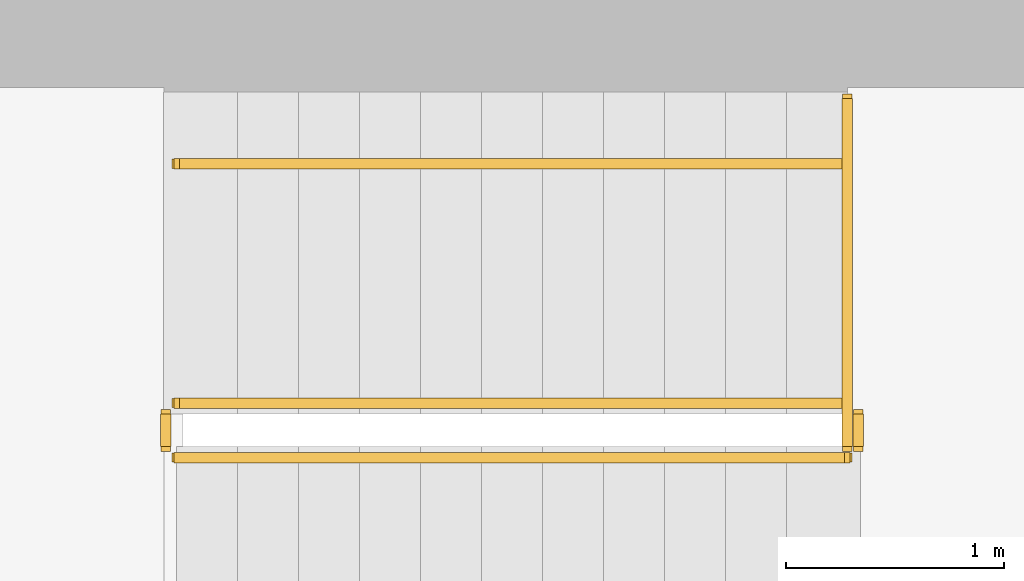
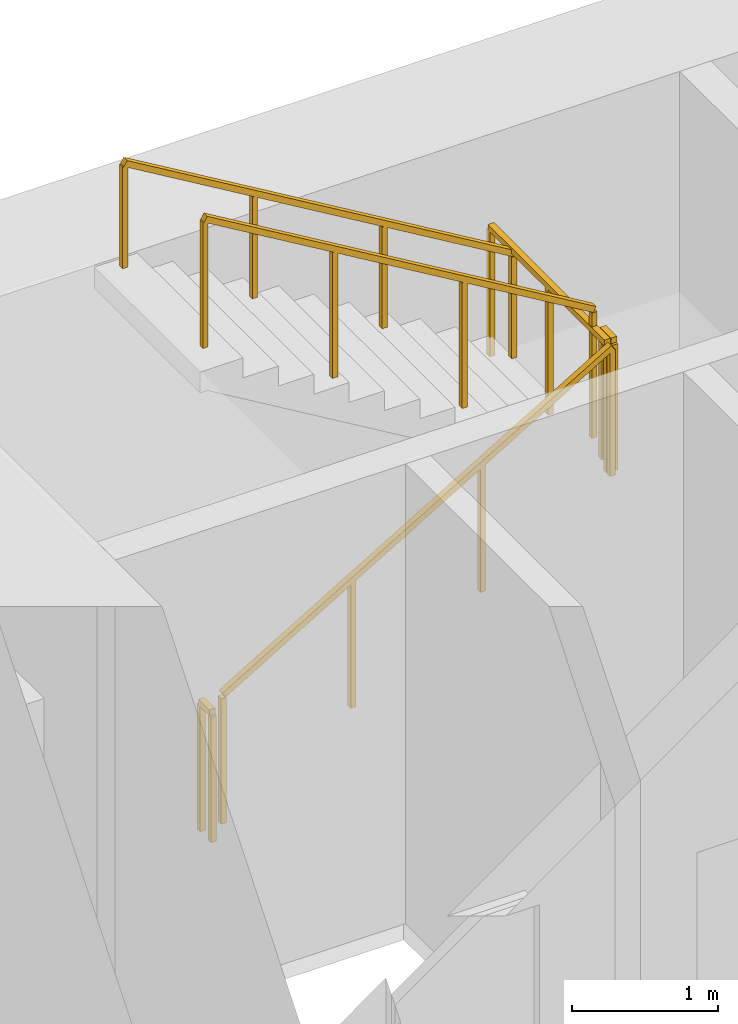
# One storey, part 15 of 16: 6 railings.
"""IFC4 building model written with IfcOpenShell, lengths in metres."""

from ifc_helpers import new_model, si_unit, direction, frame, origin, origin_2d, place, context, subcontext, project, spatial, rectangle, extrude, material, type_object, element, save


model = new_model("IFC4")

# Units and contexts
model_context = context("Model", 3, precision=1e-05, world=origin(), true_north=direction((0.0, 1.0)))
body_context = subcontext(model_context, "Body", "Model", "MODEL_VIEW")
ifc_project = project(units=[si_unit("LENGTHUNIT", "METRE"), si_unit("AREAUNIT", "SQUARE_METRE"), si_unit("VOLUMEUNIT", "CUBIC_METRE"), si_unit("PLANEANGLEUNIT", "RADIAN"), si_unit("MASSUNIT", "GRAM", prefix="KILO")], contexts=[model_context])

# Site, building, storey
site_placement = place(None, origin())
site = spatial("IfcSite", under=ifc_project, at=site_placement, CompositionType="ELEMENT")
building_placement = place(site_placement, origin())
building = spatial("IfcBuilding", under=site, at=building_placement, Name="Sennacour Bend Tower", CompositionType="ELEMENT")
storey_placement = place(building_placement, frame((0.0, 0.0, 235.0)))
storey = spatial("IfcBuildingStorey", under=building, at=storey_placement, Name="L54", CompositionType="ELEMENT", Elevation=235.0)

# Railings
ifc_material = material(Name="Stainless steel", Category="steel")
railing_type_1 = type_object("IfcRailingType", Name="RL-GUARD-1100", PredefinedType="GUARDRAIL", material=ifc_material)
railing_1_placement = place(storey_placement, frame((56.699951171875, 19.85009765625, 0.166748046875)))
element("IfcRailing", 1, at=railing_1_placement, inside=storey, type_object=railing_type_1, Name="L54 SA2 stair guard 1", PredefinedType="GUARDRAIL", context=body_context, shape_type="SweptSolid", body=[
    extrude(rectangle(XDim=0.048095703125, YDim=0.048095703125, at=origin_2d()), frame((0.0, 0.0, 1.076171875), z_axis=(0.859308565015, 0.0, 0.511457515432), x_axis=(0.0, 1.0, 0.0)), (0.0, 0.0, 1.0), 3.58447265625),
    extrude(rectangle(XDim=0.0419921875, YDim=0.0419921875, at=origin_2d()), origin(), (0.0, 0.0, 1.0), 1.052001953125),
    extrude(rectangle(XDim=0.0419921875, YDim=0.0419921875, at=origin_2d()), frame((1.026611328125, 0.0, 0.611083984375)), (0.0, 0.0, 1.0), 1.052001953125),
    extrude(rectangle(XDim=0.0419921875, YDim=0.0419921875, at=origin_2d()), frame((2.053466796875, 0.0, 1.22216796875)), (0.0, 0.0, 1.0), 1.052001953125),
    extrude(rectangle(XDim=0.0419921875, YDim=0.0419921875, at=origin_2d()), frame((3.080078125, 0.0, 1.833251953125)), (0.0, 0.0, 1.0), 1.052001953125),
])
railing_2_placement = place(storey_placement, frame((59.830078125, 19.89990234375, 2.0)))
element("IfcRailing", 2, at=railing_2_placement, inside=storey, type_object=railing_type_1, Name="L54 SA2 stair guard 2", PredefinedType="GUARDRAIL", context=body_context, shape_type="SweptSolid", body=[
    extrude(rectangle(XDim=0.048095703125, YDim=0.048095703125, at=origin_2d()), frame((0.0, 0.0, 1.076171875), z_axis=(0.0, 1.0, 0.0), x_axis=(-1.0, 0.0, 0.0)), (0.0, 0.0, 1.0), 0.150146484375),
    extrude(rectangle(XDim=0.0419921875, YDim=0.0419921875, at=origin_2d()), origin(), (0.0, 0.0, 1.0), 1.052001953125),
    extrude(rectangle(XDim=0.0419921875, YDim=0.0419921875, at=origin_2d()), frame((0.0, 0.150146484375, 0.0)), (0.0, 0.0, 1.0), 1.052001953125),
])
railing_3_placement = place(storey_placement, frame((59.780029296875, 20.10009765625, 2.166748046875)))
element("IfcRailing", 3, at=railing_3_placement, inside=storey, type_object=railing_type_1, Name="L54 SA2 stair guard 4", PredefinedType="GUARDRAIL", context=body_context, shape_type="SweptSolid", body=[
    extrude(rectangle(XDim=0.048095703125, YDim=0.048095703125, at=origin_2d()), frame((0.0, 0.0, 1.076171875), z_axis=(-0.859308565015, 0.0, 0.511457515432), x_axis=(0.0, -1.0, 0.0)), (0.0, 0.0, 1.0), 3.58447265625),
    extrude(rectangle(XDim=0.0419921875, YDim=0.0419921875, at=origin_2d()), origin(), (0.0, 0.0, 1.0), 1.052001953125),
    extrude(rectangle(XDim=0.0419921875, YDim=0.0419921875, at=origin_2d()), frame((-1.026611328125, 0.0, 0.611083984375)), (0.0, 0.0, 1.0), 1.052001953125),
    extrude(rectangle(XDim=0.0419921875, YDim=0.0419921875, at=origin_2d()), frame((-2.053466796875, 0.0, 1.22216796875)), (0.0, 0.0, 1.0), 1.052001953125),
    extrude(rectangle(XDim=0.0419921875, YDim=0.0419921875, at=origin_2d()), frame((-3.080078125, 0.0, 1.833251953125)), (0.0, 0.0, 1.0), 1.052001953125),
])
railing_4_placement = place(storey_placement, frame((56.64990234375, 19.89990234375, 0.0)))
element("IfcRailing", 4, at=railing_4_placement, inside=storey, type_object=railing_type_1, Name="L54 SA2 stair guard 5", PredefinedType="GUARDRAIL", context=body_context, shape_type="SweptSolid", body=[
    extrude(rectangle(XDim=0.048095703125, YDim=0.048095703125, at=origin_2d()), frame((0.0, 0.0, 1.076171875), z_axis=(0.0, 1.0, 0.0), x_axis=(-1.0, 0.0, 0.0)), (0.0, 0.0, 1.0), 0.150146484375),
    extrude(rectangle(XDim=0.0419921875, YDim=0.0419921875, at=origin_2d()), origin(), (0.0, 0.0, 1.0), 1.052001953125),
    extrude(rectangle(XDim=0.0419921875, YDim=0.0419921875, at=origin_2d()), frame((0.0, 0.150146484375, 0.0)), (0.0, 0.0, 1.0), 1.052001953125),
])
railing_5_placement = place(storey_placement, frame((59.780029296875, 19.89990234375, 2.0)))
element("IfcRailing", 5, at=railing_5_placement, inside=storey, type_object=railing_type_1, Name="L54 SA2 landing edge guard 71", PredefinedType="GUARDRAIL", context=body_context, shape_type="SweptSolid", body=[
    extrude(rectangle(XDim=0.048095703125, YDim=0.048095703125, at=origin_2d()), frame((0.0, 0.0, 1.076171875), z_axis=(0.0, 1.0, 0.0), x_axis=(-1.0, 0.0, 0.0)), (0.0, 0.0, 1.0), 1.60009765625),
    extrude(rectangle(XDim=0.0419921875, YDim=0.0419921875, at=origin_2d()), origin(), (0.0, 0.0, 1.0), 1.052001953125),
    extrude(rectangle(XDim=0.0419921875, YDim=0.0419921875, at=origin_2d()), frame((0.0, 0.800048828125, 0.0)), (0.0, 0.0, 1.0), 1.052001953125),
    extrude(rectangle(XDim=0.0419921875, YDim=0.0419921875, at=origin_2d()), frame((0.0, 1.60009765625, 0.0)), (0.0, 0.0, 1.0), 1.052001953125),
])
railing_type_2 = type_object("IfcRailingType", Name="RL-HANDRAIL-900", PredefinedType="HANDRAIL", material=ifc_material)
railing_6_placement = place(storey_placement, frame((59.780029296875, 21.199951171875, 2.166748046875)))
element("IfcRailing", 6, at=railing_6_placement, inside=storey, type_object=railing_type_2, Name="L54 SA2 stair handrail 2", PredefinedType="HANDRAIL", context=body_context, shape_type="SweptSolid", body=[
    extrude(rectangle(XDim=0.048095703125, YDim=0.048095703125, at=origin_2d()), frame((0.0, 0.0, 0.8759765625), z_axis=(-0.859308565015, 0.0, 0.511457515432), x_axis=(0.0, -1.0, 0.0)), (0.0, 0.0, 1.0), 3.58447265625),
    extrude(rectangle(XDim=0.0419921875, YDim=0.0419921875, at=origin_2d()), origin(), (0.0, 0.0, 1.0), 0.851806640625),
    extrude(rectangle(XDim=0.0419921875, YDim=0.0419921875, at=origin_2d()), frame((-1.026611328125, 0.0, 0.611083984375)), (0.0, 0.0, 1.0), 0.851806640625),
    extrude(rectangle(XDim=0.0419921875, YDim=0.0419921875, at=origin_2d()), frame((-2.053466796875, 0.0, 1.22216796875)), (0.0, 0.0, 1.0), 0.851806640625),
    extrude(rectangle(XDim=0.0419921875, YDim=0.0419921875, at=origin_2d()), frame((-3.080078125, 0.0, 1.833251953125)), (0.0, 0.0, 1.0), 0.851806640625),
])

save(model, "model.ifc")
